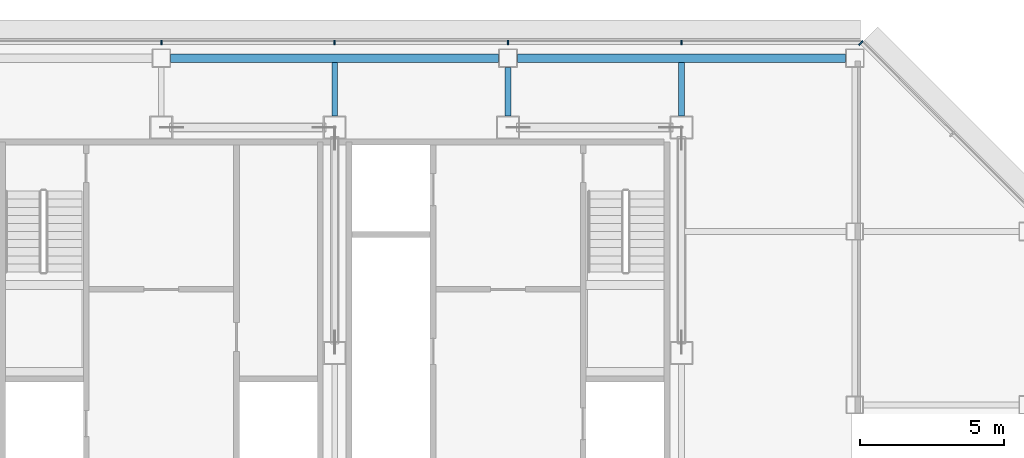
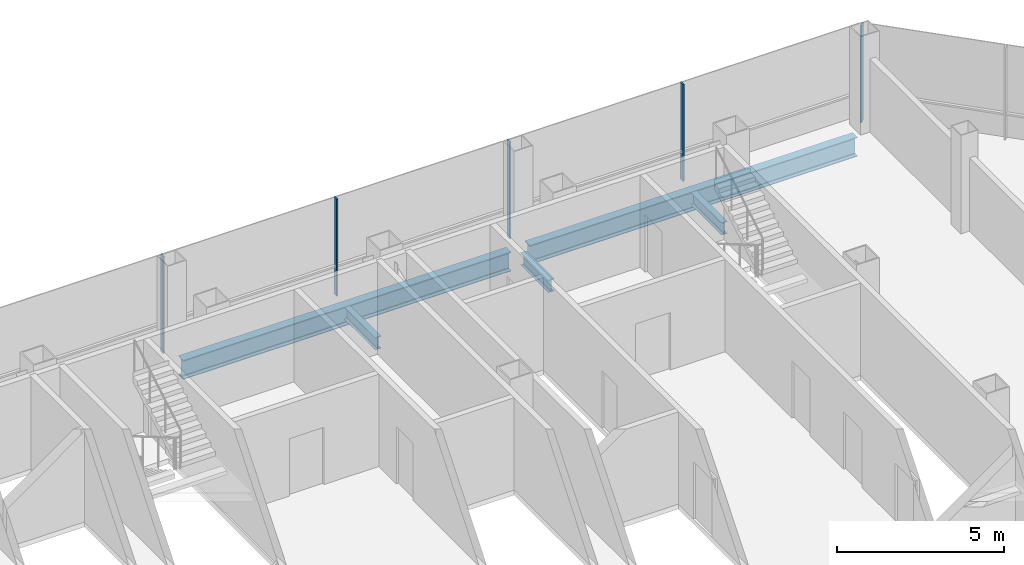
# One storey, part 15 of 27: 5 beams, 5 members, 2 elements without a shape of their own.
"""IFC4 building model written with IfcOpenShell, lengths in metres."""

from ifc_helpers import new_model, si_unit, direction, frame, origin, origin_2d, place, context, subcontext, project, spatial, rectangle, i_section, extrude, material, material_profile, profile_set, type_object, element, aggregate, save


model = new_model("IFC4")

# Units and contexts
model_context = context("Model", 3, precision=1e-05, world=origin(), true_north=direction((0.0, 1.0)))
body_context = subcontext(model_context, "Body", "Model", "MODEL_VIEW")
ifc_project = project(units=[si_unit("LENGTHUNIT", "METRE"), si_unit("AREAUNIT", "SQUARE_METRE"), si_unit("VOLUMEUNIT", "CUBIC_METRE"), si_unit("PLANEANGLEUNIT", "RADIAN"), si_unit("MASSUNIT", "GRAM", prefix="KILO")], contexts=[model_context])

# Site, building, storey
site_placement = place(None, origin())
site = spatial("IfcSite", under=ifc_project, at=site_placement, CompositionType="ELEMENT")
building_placement = place(site_placement, origin())
building = spatial("IfcBuilding", under=site, at=building_placement, Name="Sorahane Residences", CompositionType="ELEMENT")
storey_placement = place(building_placement, frame((0.0, 0.0, 206.39990234375)))
storey = spatial("IfcBuildingStorey", under=building, at=storey_placement, Name="L48", CompositionType="ELEMENT", Elevation=206.39990234375)

# Curtain wall, members
ifc_material_1 = material(Name="Dark low-e glass and black anodised aluminium", Category="aluminium")
curtain_wall_type_1 = type_object("IfcCurtainWallType", Name="Curtain wall CW-1 Typical unitised wall", PredefinedType="NOTDEFINED", material=ifc_material_1)
curtain_wall_1_placement = place(storey_placement, origin())
curtain_wall_1 = element("IfcCurtainWall", 1, at=curtain_wall_1_placement, inside=storey, type_object=curtain_wall_type_1, Name="CW-1 curtain wall L48 N1", PredefinedType="NOTDEFINED")
ifc_material_2 = material(Name="Black anodised aluminium", Category="aluminium")
ifc_material_profile_1 = material_profile(ifc_material_2, rectangle(XDim=0.159912109375, YDim=0.050048828125, at=origin_2d()), Name="Curtain wall mullion CW-1 black anodised aluminium 50x160")
ifc_profile_set_1 = profile_set([ifc_material_profile_1], Name="Black anodised aluminium")
member_type_1 = type_object("IfcMemberType", Name="Curtain wall mullion CW-1 black anodised aluminium 50x160", PredefinedType="MULLION", material=ifc_profile_set_1)
member_1_placement = place(storey_placement, frame((42.0, 48.5400390625, -0.179931640625), z_axis=(0.0, 0.0, 1.0), x_axis=(0.0, 1.0, 0.0)))
member_1 = element("IfcMember", 2, at=member_1_placement, type_object=member_type_1, Name="CW-1 mullion L48 N1.2", PredefinedType="MULLION", context=body_context, shape_type="SweptSolid", body=[
    extrude(rectangle(XDim=0.159912109375, YDim=0.050048828125, at=origin_2d()), origin(), (0.0, 0.0, 1.0), 3.56005859375),
])
member_2_placement = place(storey_placement, frame((36.0, 48.5400390625, -0.179931640625), z_axis=(0.0, 0.0, 1.0), x_axis=(0.0, 1.0, 0.0)))
member_2 = element("IfcMember", 3, at=member_2_placement, type_object=member_type_1, Name="CW-1 mullion L48 N1.3", PredefinedType="MULLION", context=body_context, shape_type="SweptSolid", body=[
    extrude(rectangle(XDim=0.159912109375, YDim=0.050048828125, at=origin_2d()), origin(), (0.0, 0.0, 1.0), 3.56005859375),
])
member_3_placement = place(storey_placement, frame((30.0, 48.5400390625, -0.179931640625), z_axis=(0.0, 0.0, 1.0), x_axis=(0.0, 1.0, 0.0)))
member_3 = element("IfcMember", 4, at=member_3_placement, type_object=member_type_1, Name="CW-1 mullion L48 N1.4", PredefinedType="MULLION", context=body_context, shape_type="SweptSolid", body=[
    extrude(rectangle(XDim=0.159912109375, YDim=0.050048828125, at=origin_2d()), origin(), (0.0, 0.0, 1.0), 3.56005859375),
])
member_4_placement = place(storey_placement, frame((24.0, 48.5400390625, -0.179931640625), z_axis=(0.0, 0.0, 1.0), x_axis=(0.0, 1.0, 0.0)))
member_4 = element("IfcMember", 5, at=member_4_placement, type_object=member_type_1, Name="CW-1 mullion L48 N1.5", PredefinedType="MULLION", context=body_context, shape_type="SweptSolid", body=[
    extrude(rectangle(XDim=0.159912109375, YDim=0.050048828125, at=origin_2d()), origin(), (0.0, 0.0, 1.0), 3.56005859375),
])
aggregate(curtain_wall_1, [member_1, member_2, member_3, member_4])

# Curtain wall, member
ifc_material_3 = material(Name="Dark low-e glass and black anodised aluminium", Category="aluminium")
curtain_wall_type_2 = type_object("IfcCurtainWallType", Name="Curtain wall CW-2 Chamfer unitised wall", PredefinedType="NOTDEFINED", material=ifc_material_3)
curtain_wall_2_placement = place(storey_placement, origin())
curtain_wall_2 = element("IfcCurtainWall", 6, at=curtain_wall_2_placement, inside=storey, type_object=curtain_wall_type_2, Name="CW-2 curtain wall L48 NE1", PredefinedType="NOTDEFINED")
ifc_material_4 = material(Name="Black anodised aluminium", Category="aluminium")
ifc_material_profile_2 = material_profile(ifc_material_4, rectangle(XDim=0.199951171875, YDim=0.050048828125, at=origin_2d()), Name="Curtain wall mullion CW-2 black anodised aluminium 50x200")
ifc_profile_set_2 = profile_set([ifc_material_profile_2], Name="Black anodised aluminium")
member_type_2 = type_object("IfcMemberType", Name="Curtain wall mullion CW-2 black anodised aluminium 50x200", PredefinedType="MULLION", material=ifc_profile_set_2)
member_5_placement = place(storey_placement, frame((48.209716796875, 48.525634765625, -0.179931640625), z_axis=(0.0, 0.0, 1.0), x_axis=(0.707106781187, 0.707106781187, 0.0)))
member_5 = element("IfcMember", 7, at=member_5_placement, type_object=member_type_2, Name="CW-2 mullion L48 NE1.3", PredefinedType="MULLION", context=body_context, shape_type="SweptSolid", body=[
    extrude(rectangle(XDim=0.199951171875, YDim=0.050048828125, at=origin_2d()), origin(), (0.0, 0.0, 1.0), 3.56005859375),
])
aggregate(curtain_wall_2, [member_5])

# Beams
ifc_material_5 = material(Name="Steel Q355B", Category="steel")
ifc_material_profile_3 = material_profile(ifc_material_5, i_section(OverallWidth=0.199951171875, OverallDepth=0.449951171875, WebThickness=0.009033203125, FlangeThickness=0.013916015625, FilletRadius=0.02001953125, at=origin_2d()), Name="HN 450x200x9x14")
ifc_profile_set_3 = profile_set([ifc_material_profile_3], Name="Steel Q355B")
beam_type_1 = type_object("IfcBeamType", Name="Steel floor beam HN 450x200x9x14 Q355B", PredefinedType="BEAM", material=ifc_profile_set_3)
beam_1_placement = place(storey_placement, frame((30.0, 46.0, -0.40478515625), z_axis=(0.0, 1.0, 0.0), x_axis=(-1.0, 0.0, 0.0)))
element("IfcBeam", 8, at=beam_1_placement, inside=storey, type_object=beam_type_1, Name="Beam L48 049", PredefinedType="BEAM", context=body_context, shape_type="SweptSolid", body=[
    extrude(i_section(OverallWidth=0.199951171875, OverallDepth=0.449951171875, WebThickness=0.009033203125, FlangeThickness=0.013916015625, FilletRadius=0.02001953125, at=origin_2d()), origin(), (0.0, 0.0, 1.0), 1.85009765625),
])
beam_2_placement = place(storey_placement, frame((36.0, 46.0, -0.40478515625), z_axis=(0.0, 1.0, 0.0), x_axis=(-1.0, 0.0, 0.0)))
element("IfcBeam", 9, at=beam_2_placement, inside=storey, type_object=beam_type_1, Name="Beam L48 051", PredefinedType="BEAM", context=body_context, shape_type="SweptSolid", body=[
    extrude(i_section(OverallWidth=0.199951171875, OverallDepth=0.449951171875, WebThickness=0.009033203125, FlangeThickness=0.013916015625, FilletRadius=0.02001953125, at=origin_2d()), origin(), (0.0, 0.0, 1.0), 1.675048828125),
])
beam_3_placement = place(storey_placement, frame((42.0, 46.0, -0.40478515625), z_axis=(0.0, 1.0, 0.0), x_axis=(-1.0, 0.0, 0.0)))
element("IfcBeam", 10, at=beam_3_placement, inside=storey, type_object=beam_type_1, Name="Beam L48 057", PredefinedType="BEAM", context=body_context, shape_type="SweptSolid", body=[
    extrude(i_section(OverallWidth=0.199951171875, OverallDepth=0.449951171875, WebThickness=0.009033203125, FlangeThickness=0.013916015625, FilletRadius=0.02001953125, at=origin_2d()), origin(), (0.0, 0.0, 1.0), 1.85009765625),
])
ifc_material_6 = material(Name="Steel Q355B", Category="steel")
ifc_material_profile_4 = material_profile(ifc_material_6, i_section(OverallWidth=0.300048828125, OverallDepth=0.699951171875, WebThickness=0.012939453125, FlangeThickness=0.02392578125, FilletRadius=0.028076171875, at=origin_2d()), Name="HN 700x300x13x24")
ifc_profile_set_4 = profile_set([ifc_material_profile_4], Name="Steel Q355B")
beam_type_2 = type_object("IfcBeamType", Name="Steel floor beam HN 700x300x13x24 Q355B", PredefinedType="BEAM", material=ifc_profile_set_4)
for number, where, z_axis, x_axis, name in (
    (11, (24.324951171875, 48.0, -0.52978515625), (1.0, 0.0, 0.0), (0.0, 1.0, 0.0), "Beam L48 018"),
    (12, (36.324951171875, 48.0, -0.52978515625), (1.0, 0.0, 0.0), (0.0, 1.0, 0.0), "Beam L48 019"),
):
    element("IfcBeam", number, at=place(storey_placement, frame(where, z_axis=z_axis, x_axis=x_axis)), inside=storey, type_object=beam_type_2, Name=name, PredefinedType="BEAM", context=body_context, shape_type="SweptSolid", body=[
        extrude(i_section(OverallWidth=0.300048828125, OverallDepth=0.699951171875, WebThickness=0.012939453125, FlangeThickness=0.02392578125, FilletRadius=0.028076171875, at=origin_2d()), origin(), (0.0, 0.0, 1.0), 11.35009765625),
    ])

save(model, "model.ifc")
